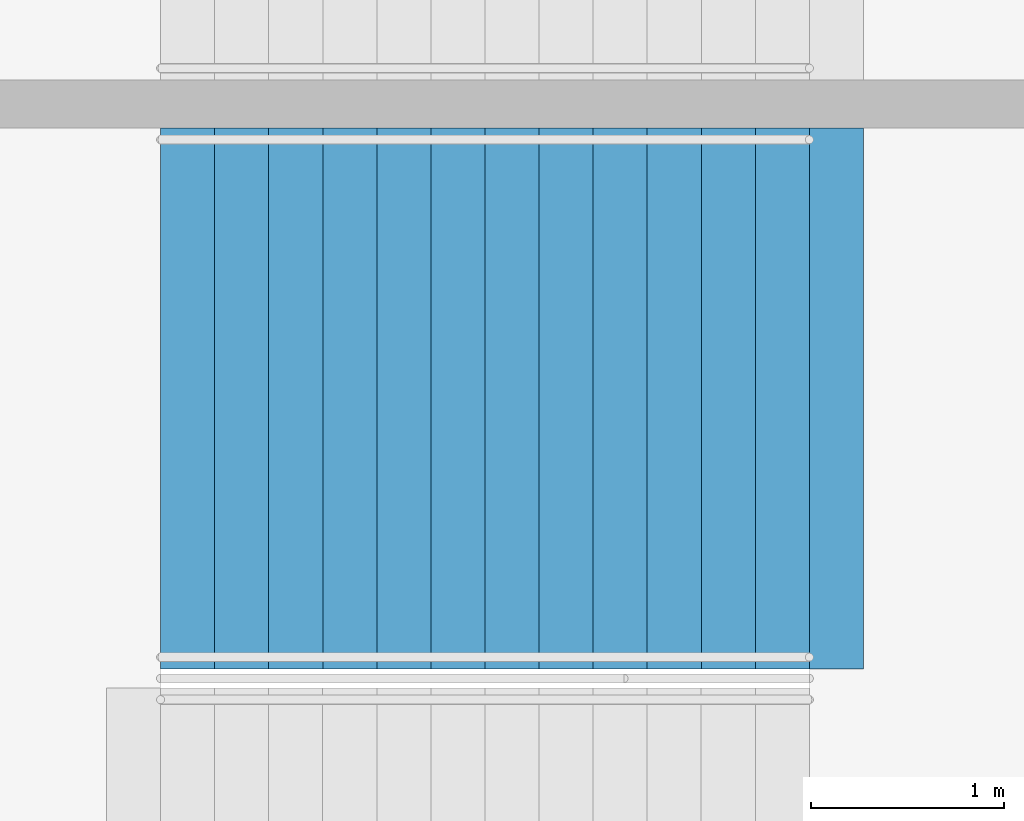
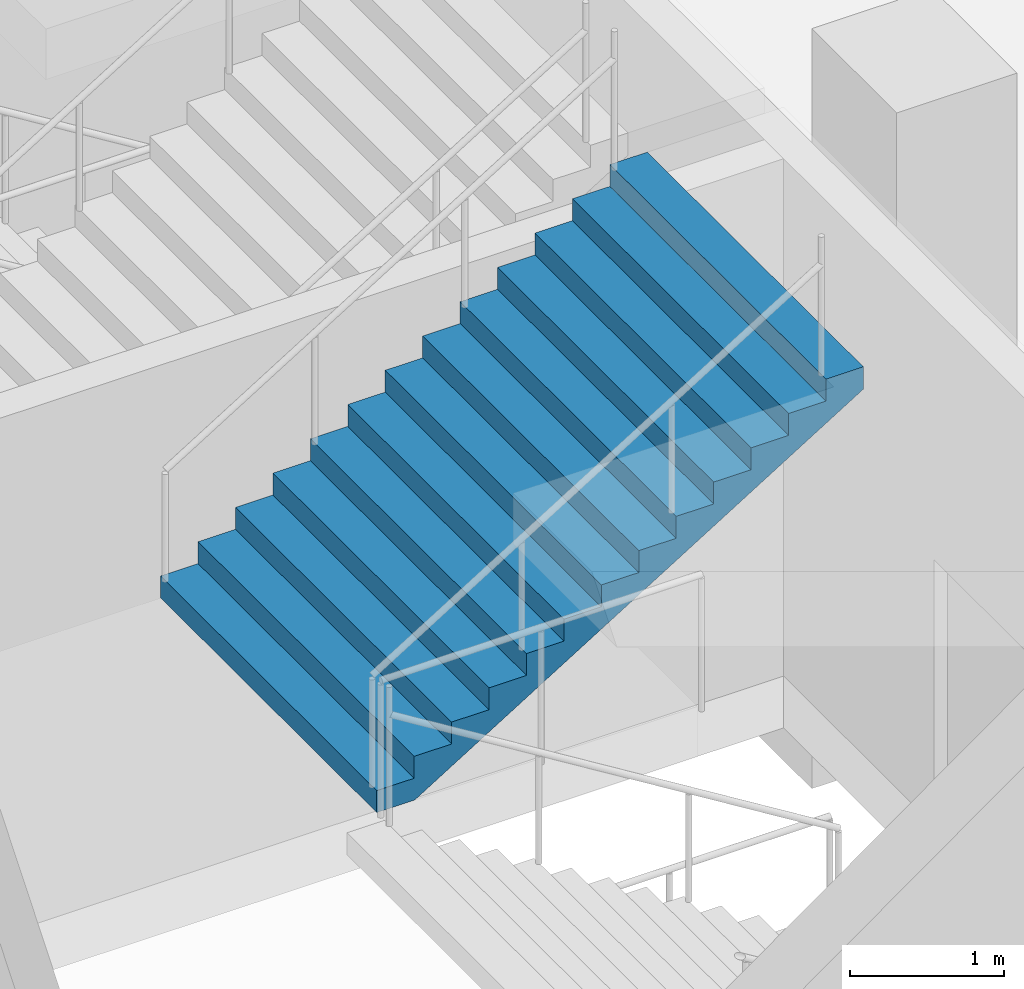
# One storey, part 131 of 199: 1 stair flight, 1 element without a shape of its own.
"""IFC4 building model written with IfcOpenShell, lengths in metres."""

from ifc_helpers import new_model, si_unit, direction, frame, origin, place, context, subcontext, project, spatial, faceted_brep, material, type_object, element, aggregate, save


model = new_model("IFC4")

# Units and contexts
model_context = context("Model", 3, precision=1e-05, world=origin(), true_north=direction((0.0, 1.0)))
body_context = subcontext(model_context, "Body", "Model", "MODEL_VIEW")
ifc_project = project(units=[si_unit("LENGTHUNIT", "METRE"), si_unit("AREAUNIT", "SQUARE_METRE"), si_unit("VOLUMEUNIT", "CUBIC_METRE"), si_unit("PLANEANGLEUNIT", "RADIAN"), si_unit("MASSUNIT", "GRAM", prefix="KILO")], contexts=[model_context])

# Site, building, storey
site_placement = place(None, origin())
site = spatial("IfcSite", under=ifc_project, at=site_placement, CompositionType="ELEMENT")
building_placement = place(site_placement, origin())
building = spatial("IfcBuilding", under=site, at=building_placement, Name="Ogive Plaza Stadium", CompositionType="ELEMENT")
storey_placement = place(building_placement, frame((0.0, 0.0, 4.5)))
storey = spatial("IfcBuildingStorey", under=building, at=storey_placement, Name="L01", CompositionType="ELEMENT", Elevation=4.5)

# Stair, stair flight
ifc_material_1 = material(Name="Concrete C40/50", Category="concrete")
stair_type = type_object("IfcStairType", Name="Exit stair", PredefinedType="STRAIGHT_RUN_STAIR", material=ifc_material_1)
stair_placement = place(storey_placement, origin())
stair = element("IfcStair", 1, at=stair_placement, inside=storey, type_object=stair_type, Name="Exit stair ST24B L01 to L02", PredefinedType="STRAIGHT_RUN_STAIR")
ifc_material_2 = material(Name="Concrete C40/50", Category="concrete")
stair_flight_type = type_object("IfcStairFlightType", Name="Exit stair flight", PredefinedType="STRAIGHT", material=ifc_material_2)
stair_flight_placement = place(storey_placement, frame((-79.7099609375, -9.02490234375, 2.25), z_axis=(0.0, 0.0, 1.0), x_axis=(1.0, 0.0, 0.0)))
stair_flight = element("IfcStairFlight", 2, at=stair_flight_placement, type_object=stair_flight_type, Name="ST24B flight 2", NumberOfRisers=13, NumberOfTreads=12, PredefinedType="STRAIGHT", RiserHeight=0.173076923, TreadLength=0.28, context=body_context, shape_type="Brep", body=[
    faceted_brep([(0.28515625, -1.39990234375, 0.0), (3.639892578125, -1.39990234375, 2.07373046875), (3.639892578125, -1.39990234375, 2.25), (3.360107421875, -1.39990234375, 2.25), (3.360107421875, -1.39990234375, 2.076904296875), (3.080078125, -1.39990234375, 2.076904296875), (3.080078125, -1.39990234375, 1.90380859375), (2.800048828125, -1.39990234375, 1.90380859375), (2.800048828125, -1.39990234375, 1.730712890625), (2.52001953125, -1.39990234375, 1.730712890625), (2.52001953125, -1.39990234375, 1.5576171875), (2.239990234375, -1.39990234375, 1.5576171875), (2.239990234375, -1.39990234375, 1.384521484375), (1.9599609375, -1.39990234375, 1.384521484375), (1.9599609375, -1.39990234375, 1.21142578125), (1.679931640625, -1.39990234375, 1.21142578125), (1.679931640625, -1.39990234375, 1.03857421875), (1.39990234375, -1.39990234375, 1.03857421875), (1.39990234375, -1.39990234375, 0.865478515625), (1.1201171875, -1.39990234375, 0.865478515625), (1.1201171875, -1.39990234375, 0.6923828125), (0.840087890625, -1.39990234375, 0.6923828125), (0.840087890625, -1.39990234375, 0.519287109375), (0.56005859375, -1.39990234375, 0.519287109375), (0.56005859375, -1.39990234375, 0.34619140625), (0.280029296875, -1.39990234375, 0.34619140625), (0.280029296875, -1.39990234375, 0.173095703125), (0.0, -1.39990234375, 0.173095703125), (0.0, -1.39990234375, 0.0), (0.0, 1.39990234375, 0.0), (0.0, 1.39990234375, 0.173095703125), (0.280029296875, 1.39990234375, 0.173095703125), (0.280029296875, 1.39990234375, 0.34619140625), (0.56005859375, 1.39990234375, 0.34619140625), (0.56005859375, 1.39990234375, 0.519287109375), (0.840087890625, 1.39990234375, 0.519287109375), (0.840087890625, 1.39990234375, 0.6923828125), (1.1201171875, 1.39990234375, 0.6923828125), (1.1201171875, 1.39990234375, 0.865478515625), (1.39990234375, 1.39990234375, 0.865478515625), (1.39990234375, 1.39990234375, 1.03857421875), (1.679931640625, 1.39990234375, 1.03857421875), (1.679931640625, 1.39990234375, 1.21142578125), (1.9599609375, 1.39990234375, 1.21142578125), (1.9599609375, 1.39990234375, 1.384521484375), (2.239990234375, 1.39990234375, 1.384521484375), (2.239990234375, 1.39990234375, 1.5576171875), (2.52001953125, 1.39990234375, 1.5576171875), (2.52001953125, 1.39990234375, 1.730712890625), (2.800048828125, 1.39990234375, 1.730712890625), (2.800048828125, 1.39990234375, 1.90380859375), (3.080078125, 1.39990234375, 1.90380859375), (3.080078125, 1.39990234375, 2.076904296875), (3.360107421875, 1.39990234375, 2.076904296875), (3.360107421875, 1.39990234375, 2.25), (3.639892578125, 1.39990234375, 2.25), (3.639892578125, 1.39990234375, 2.07373046875), (0.28515625, 1.39990234375, 0.0), (0.28515625, -1.0888671875, 0.0), (3.639892578125, -1.0888671875, 2.07373046875), (0.28515625, -0.77783203125, 0.0), (3.639892578125, -0.77783203125, 2.07373046875), (0.28515625, -0.466796875, 0.0), (3.639892578125, -0.466796875, 2.07373046875), (0.28515625, -0.155517578125, 0.0), (3.639892578125, -0.155517578125, 2.07373046875), (0.28515625, 0.155517578125, 0.0), (3.639892578125, 0.155517578125, 2.07373046875), (0.28515625, 0.466796875, 0.0), (3.639892578125, 0.466796875, 2.07373046875), (0.28515625, 0.77783203125, 0.0), (3.639892578125, 0.77783203125, 2.07373046875), (0.28515625, 1.0888671875, 0.0), (3.639892578125, 1.0888671875, 2.07373046875), (3.639892578125, -1.0888671875, 2.25), (3.639892578125, -0.77783203125, 2.25), (3.639892578125, -0.466796875, 2.25), (3.639892578125, -0.155517578125, 2.25), (3.639892578125, 0.155517578125, 2.25), (3.639892578125, 0.466796875, 2.25), (3.639892578125, 0.77783203125, 2.25), (3.639892578125, 1.0888671875, 2.25), (3.360107421875, -1.0888671875, 2.25), (3.360107421875, -0.77783203125, 2.25), (3.360107421875, -0.466796875, 2.25), (3.360107421875, -0.155517578125, 2.25), (3.360107421875, 0.155517578125, 2.25), (3.360107421875, 0.466796875, 2.25), (3.360107421875, 0.77783203125, 2.25), (3.360107421875, 1.0888671875, 2.25), (3.360107421875, -1.0888671875, 2.076904296875), (3.360107421875, -0.77783203125, 2.076904296875), (3.360107421875, -0.466796875, 2.076904296875), (3.360107421875, -0.155517578125, 2.076904296875), (3.360107421875, 0.155517578125, 2.076904296875), (3.360107421875, 0.466796875, 2.076904296875), (3.360107421875, 0.77783203125, 2.076904296875), (3.360107421875, 1.0888671875, 2.076904296875), (3.080078125, -1.0888671875, 2.076904296875), (3.080078125, -0.77783203125, 2.076904296875), (3.080078125, -0.466796875, 2.076904296875), (3.080078125, -0.155517578125, 2.076904296875), (3.080078125, 0.155517578125, 2.076904296875), (3.080078125, 0.466796875, 2.076904296875), (3.080078125, 0.77783203125, 2.076904296875), (3.080078125, 1.0888671875, 2.076904296875), (3.080078125, -1.0888671875, 1.90380859375), (3.080078125, -0.77783203125, 1.90380859375), (3.080078125, -0.466796875, 1.90380859375), (3.080078125, -0.155517578125, 1.90380859375), (3.080078125, 0.155517578125, 1.90380859375), (3.080078125, 0.466796875, 1.90380859375), (3.080078125, 0.77783203125, 1.90380859375), (3.080078125, 1.0888671875, 1.90380859375), (2.800048828125, -1.0888671875, 1.90380859375), (2.800048828125, -0.77783203125, 1.90380859375), (2.800048828125, -0.466796875, 1.90380859375), (2.800048828125, -0.155517578125, 1.90380859375), (2.800048828125, 0.155517578125, 1.90380859375), (2.800048828125, 0.466796875, 1.90380859375), (2.800048828125, 0.77783203125, 1.90380859375), (2.800048828125, 1.0888671875, 1.90380859375), (2.800048828125, -1.0888671875, 1.730712890625), (2.800048828125, -0.77783203125, 1.730712890625), (2.800048828125, -0.466796875, 1.730712890625), (2.800048828125, -0.155517578125, 1.730712890625), (2.800048828125, 0.155517578125, 1.730712890625), (2.800048828125, 0.466796875, 1.730712890625), (2.800048828125, 0.77783203125, 1.730712890625), (2.800048828125, 1.0888671875, 1.730712890625), (2.52001953125, -1.0888671875, 1.730712890625), (2.52001953125, -0.77783203125, 1.730712890625), (2.52001953125, -0.466796875, 1.730712890625), (2.52001953125, -0.155517578125, 1.730712890625), (2.52001953125, 0.155517578125, 1.730712890625), (2.52001953125, 0.466796875, 1.730712890625), (2.52001953125, 0.77783203125, 1.730712890625), (2.52001953125, 1.0888671875, 1.730712890625), (2.52001953125, -1.0888671875, 1.5576171875), (2.52001953125, -0.77783203125, 1.5576171875), (2.52001953125, -0.466796875, 1.5576171875), (2.52001953125, -0.155517578125, 1.5576171875), (2.52001953125, 0.155517578125, 1.5576171875), (2.52001953125, 0.466796875, 1.5576171875), (2.52001953125, 0.77783203125, 1.5576171875), (2.52001953125, 1.0888671875, 1.5576171875), (2.239990234375, -1.0888671875, 1.5576171875), (2.239990234375, -0.77783203125, 1.5576171875), (2.239990234375, -0.466796875, 1.5576171875), (2.239990234375, -0.155517578125, 1.5576171875), (2.239990234375, 0.155517578125, 1.5576171875), (2.239990234375, 0.466796875, 1.5576171875), (2.239990234375, 0.77783203125, 1.5576171875), (2.239990234375, 1.0888671875, 1.5576171875), (2.239990234375, -1.0888671875, 1.384521484375), (2.239990234375, -0.77783203125, 1.384521484375), (2.239990234375, -0.466796875, 1.384521484375), (2.239990234375, -0.155517578125, 1.384521484375), (2.239990234375, 0.155517578125, 1.384521484375), (2.239990234375, 0.466796875, 1.384521484375), (2.239990234375, 0.77783203125, 1.384521484375), (2.239990234375, 1.0888671875, 1.384521484375), (1.9599609375, -1.0888671875, 1.384521484375), (1.9599609375, -0.77783203125, 1.384521484375), (1.9599609375, -0.466796875, 1.384521484375), (1.9599609375, -0.155517578125, 1.384521484375), (1.9599609375, 0.155517578125, 1.384521484375), (1.9599609375, 0.466796875, 1.384521484375), (1.9599609375, 0.77783203125, 1.384521484375), (1.9599609375, 1.0888671875, 1.384521484375), (1.9599609375, -1.0888671875, 1.21142578125), (1.9599609375, -0.77783203125, 1.21142578125), (1.9599609375, -0.466796875, 1.21142578125), (1.9599609375, -0.155517578125, 1.21142578125), (1.9599609375, 0.155517578125, 1.21142578125), (1.9599609375, 0.466796875, 1.21142578125), (1.9599609375, 0.77783203125, 1.21142578125), (1.9599609375, 1.0888671875, 1.21142578125), (1.679931640625, -1.0888671875, 1.21142578125), (1.679931640625, -0.77783203125, 1.21142578125), (1.679931640625, -0.466796875, 1.21142578125), (1.679931640625, -0.155517578125, 1.21142578125), (1.679931640625, 0.155517578125, 1.21142578125), (1.679931640625, 0.466796875, 1.21142578125), (1.679931640625, 0.77783203125, 1.21142578125), (1.679931640625, 1.0888671875, 1.21142578125), (1.679931640625, -1.0888671875, 1.03857421875), (1.679931640625, -0.77783203125, 1.03857421875), (1.679931640625, -0.466796875, 1.03857421875), (1.679931640625, -0.155517578125, 1.03857421875), (1.679931640625, 0.155517578125, 1.03857421875), (1.679931640625, 0.466796875, 1.03857421875), (1.679931640625, 0.77783203125, 1.03857421875), (1.679931640625, 1.0888671875, 1.03857421875), (1.39990234375, -1.0888671875, 1.03857421875), (1.39990234375, -0.77783203125, 1.03857421875), (1.39990234375, -0.466796875, 1.03857421875), (1.39990234375, -0.155517578125, 1.03857421875), (1.39990234375, 0.155517578125, 1.03857421875), (1.39990234375, 0.466796875, 1.03857421875), (1.39990234375, 0.77783203125, 1.03857421875), (1.39990234375, 1.0888671875, 1.03857421875), (1.39990234375, -1.0888671875, 0.865478515625), (1.39990234375, -0.77783203125, 0.865478515625), (1.39990234375, -0.466796875, 0.865478515625), (1.39990234375, -0.155517578125, 0.865478515625), (1.39990234375, 0.155517578125, 0.865478515625), (1.39990234375, 0.466796875, 0.865478515625), (1.39990234375, 0.77783203125, 0.865478515625), (1.39990234375, 1.0888671875, 0.865478515625), (1.1201171875, -1.0888671875, 0.865478515625), (1.1201171875, -0.77783203125, 0.865478515625), (1.1201171875, -0.466796875, 0.865478515625), (1.1201171875, -0.155517578125, 0.865478515625), (1.1201171875, 0.155517578125, 0.865478515625), (1.1201171875, 0.466796875, 0.865478515625), (1.1201171875, 0.77783203125, 0.865478515625), (1.1201171875, 1.0888671875, 0.865478515625), (1.1201171875, -1.0888671875, 0.6923828125), (1.1201171875, -0.77783203125, 0.6923828125), (1.1201171875, -0.466796875, 0.6923828125), (1.1201171875, -0.155517578125, 0.6923828125), (1.1201171875, 0.155517578125, 0.6923828125), (1.1201171875, 0.466796875, 0.6923828125), (1.1201171875, 0.77783203125, 0.6923828125), (1.1201171875, 1.0888671875, 0.6923828125), (0.840087890625, -1.0888671875, 0.6923828125), (0.840087890625, -0.77783203125, 0.6923828125), (0.840087890625, -0.466796875, 0.6923828125), (0.840087890625, -0.155517578125, 0.6923828125), (0.840087890625, 0.155517578125, 0.6923828125), (0.840087890625, 0.466796875, 0.6923828125), (0.840087890625, 0.77783203125, 0.6923828125), (0.840087890625, 1.0888671875, 0.6923828125), (0.840087890625, -1.0888671875, 0.519287109375), (0.840087890625, -0.77783203125, 0.519287109375), (0.840087890625, -0.466796875, 0.519287109375), (0.840087890625, -0.155517578125, 0.519287109375), (0.840087890625, 0.155517578125, 0.519287109375), (0.840087890625, 0.466796875, 0.519287109375), (0.840087890625, 0.77783203125, 0.519287109375), (0.840087890625, 1.0888671875, 0.519287109375), (0.56005859375, -1.0888671875, 0.519287109375), (0.56005859375, -0.77783203125, 0.519287109375), (0.56005859375, -0.466796875, 0.519287109375), (0.56005859375, -0.155517578125, 0.519287109375), (0.56005859375, 0.155517578125, 0.519287109375), (0.56005859375, 0.466796875, 0.519287109375), (0.56005859375, 0.77783203125, 0.519287109375), (0.56005859375, 1.0888671875, 0.519287109375), (0.56005859375, -1.0888671875, 0.34619140625), (0.56005859375, -0.77783203125, 0.34619140625), (0.56005859375, -0.466796875, 0.34619140625), (0.56005859375, -0.155517578125, 0.34619140625), (0.56005859375, 0.155517578125, 0.34619140625), (0.56005859375, 0.466796875, 0.34619140625), (0.56005859375, 0.77783203125, 0.34619140625), (0.56005859375, 1.0888671875, 0.34619140625), (0.280029296875, -1.0888671875, 0.34619140625), (0.280029296875, -0.77783203125, 0.34619140625), (0.280029296875, -0.466796875, 0.34619140625), (0.280029296875, -0.155517578125, 0.34619140625), (0.280029296875, 0.155517578125, 0.34619140625), (0.280029296875, 0.466796875, 0.34619140625), (0.280029296875, 0.77783203125, 0.34619140625), (0.280029296875, 1.0888671875, 0.34619140625), (0.280029296875, -1.0888671875, 0.173095703125), (0.280029296875, -0.77783203125, 0.173095703125), (0.280029296875, -0.466796875, 0.173095703125), (0.280029296875, -0.155517578125, 0.173095703125), (0.280029296875, 0.155517578125, 0.173095703125), (0.280029296875, 0.466796875, 0.173095703125), (0.280029296875, 0.77783203125, 0.173095703125), (0.280029296875, 1.0888671875, 0.173095703125), (0.0, -1.0888671875, 0.173095703125), (0.0, -0.77783203125, 0.173095703125), (0.0, -0.466796875, 0.173095703125), (0.0, -0.155517578125, 0.173095703125), (0.0, 0.155517578125, 0.173095703125), (0.0, 0.466796875, 0.173095703125), (0.0, 0.77783203125, 0.173095703125), (0.0, 1.0888671875, 0.173095703125), (0.0, -1.0888671875, 0.0), (0.0, -0.77783203125, 0.0), (0.0, -0.466796875, 0.0), (0.0, -0.155517578125, 0.0), (0.0, 0.155517578125, 0.0), (0.0, 0.466796875, 0.0), (0.0, 0.77783203125, 0.0), (0.0, 1.0888671875, 0.0)], [[[0, 1, 2, 3, 4, 5, 6, 7, 8, 9, 10, 11, 12, 13, 14, 15, 16, 17, 18, 19, 20, 21, 22, 23, 24, 25, 26, 27, 28]], [[29, 30, 31, 32, 33, 34, 35, 36, 37, 38, 39, 40, 41, 42, 43, 44, 45, 46, 47, 48, 49, 50, 51, 52, 53, 54, 55, 56, 57]], [[0, 58, 59, 1]], [[58, 60, 61, 59]], [[60, 62, 63, 61]], [[62, 64, 65, 63]], [[64, 66, 67, 65]], [[66, 68, 69, 67]], [[68, 70, 71, 69]], [[70, 72, 73, 71]], [[72, 57, 56, 73]], [[1, 59, 74, 2]], [[59, 61, 75, 74]], [[61, 63, 76, 75]], [[63, 65, 77, 76]], [[65, 67, 78, 77]], [[67, 69, 79, 78]], [[69, 71, 80, 79]], [[71, 73, 81, 80]], [[73, 56, 55, 81]], [[2, 74, 82, 3]], [[74, 75, 83, 82]], [[75, 76, 84, 83]], [[76, 77, 85, 84]], [[77, 78, 86, 85]], [[78, 79, 87, 86]], [[79, 80, 88, 87]], [[80, 81, 89, 88]], [[81, 55, 54, 89]], [[3, 82, 90, 4]], [[82, 83, 91, 90]], [[83, 84, 92, 91]], [[84, 85, 93, 92]], [[85, 86, 94, 93]], [[86, 87, 95, 94]], [[87, 88, 96, 95]], [[88, 89, 97, 96]], [[89, 54, 53, 97]], [[4, 90, 98, 5]], [[90, 91, 99, 98]], [[91, 92, 100, 99]], [[92, 93, 101, 100]], [[93, 94, 102, 101]], [[94, 95, 103, 102]], [[95, 96, 104, 103]], [[96, 97, 105, 104]], [[97, 53, 52, 105]], [[5, 98, 106, 6]], [[98, 99, 107, 106]], [[99, 100, 108, 107]], [[100, 101, 109, 108]], [[101, 102, 110, 109]], [[102, 103, 111, 110]], [[103, 104, 112, 111]], [[104, 105, 113, 112]], [[105, 52, 51, 113]], [[6, 106, 114, 7]], [[106, 107, 115, 114]], [[107, 108, 116, 115]], [[108, 109, 117, 116]], [[109, 110, 118, 117]], [[110, 111, 119, 118]], [[111, 112, 120, 119]], [[112, 113, 121, 120]], [[113, 51, 50, 121]], [[7, 114, 122, 8]], [[114, 115, 123, 122]], [[115, 116, 124, 123]], [[116, 117, 125, 124]], [[117, 118, 126, 125]], [[118, 119, 127, 126]], [[119, 120, 128, 127]], [[120, 121, 129, 128]], [[121, 50, 49, 129]], [[8, 122, 130, 9]], [[122, 123, 131, 130]], [[123, 124, 132, 131]], [[124, 125, 133, 132]], [[125, 126, 134, 133]], [[126, 127, 135, 134]], [[127, 128, 136, 135]], [[128, 129, 137, 136]], [[129, 49, 48, 137]], [[9, 130, 138, 10]], [[130, 131, 139, 138]], [[131, 132, 140, 139]], [[132, 133, 141, 140]], [[133, 134, 142, 141]], [[134, 135, 143, 142]], [[135, 136, 144, 143]], [[136, 137, 145, 144]], [[137, 48, 47, 145]], [[10, 138, 146, 11]], [[138, 139, 147, 146]], [[139, 140, 148, 147]], [[140, 141, 149, 148]], [[141, 142, 150, 149]], [[142, 143, 151, 150]], [[143, 144, 152, 151]], [[144, 145, 153, 152]], [[145, 47, 46, 153]], [[11, 146, 154, 12]], [[146, 147, 155, 154]], [[147, 148, 156, 155]], [[148, 149, 157, 156]], [[149, 150, 158, 157]], [[150, 151, 159, 158]], [[151, 152, 160, 159]], [[152, 153, 161, 160]], [[153, 46, 45, 161]], [[12, 154, 162, 13]], [[154, 155, 163, 162]], [[155, 156, 164, 163]], [[156, 157, 165, 164]], [[157, 158, 166, 165]], [[158, 159, 167, 166]], [[159, 160, 168, 167]], [[160, 161, 169, 168]], [[161, 45, 44, 169]], [[13, 162, 170, 14]], [[162, 163, 171, 170]], [[163, 164, 172, 171]], [[164, 165, 173, 172]], [[165, 166, 174, 173]], [[166, 167, 175, 174]], [[167, 168, 176, 175]], [[168, 169, 177, 176]], [[169, 44, 43, 177]], [[14, 170, 178, 15]], [[170, 171, 179, 178]], [[171, 172, 180, 179]], [[172, 173, 181, 180]], [[173, 174, 182, 181]], [[174, 175, 183, 182]], [[175, 176, 184, 183]], [[176, 177, 185, 184]], [[177, 43, 42, 185]], [[15, 178, 186, 16]], [[178, 179, 187, 186]], [[179, 180, 188, 187]], [[180, 181, 189, 188]], [[181, 182, 190, 189]], [[182, 183, 191, 190]], [[183, 184, 192, 191]], [[184, 185, 193, 192]], [[185, 42, 41, 193]], [[16, 186, 194, 17]], [[186, 187, 195, 194]], [[187, 188, 196, 195]], [[188, 189, 197, 196]], [[189, 190, 198, 197]], [[190, 191, 199, 198]], [[191, 192, 200, 199]], [[192, 193, 201, 200]], [[193, 41, 40, 201]], [[17, 194, 202, 18]], [[194, 195, 203, 202]], [[195, 196, 204, 203]], [[196, 197, 205, 204]], [[197, 198, 206, 205]], [[198, 199, 207, 206]], [[199, 200, 208, 207]], [[200, 201, 209, 208]], [[201, 40, 39, 209]], [[18, 202, 210, 19]], [[202, 203, 211, 210]], [[203, 204, 212, 211]], [[204, 205, 213, 212]], [[205, 206, 214, 213]], [[206, 207, 215, 214]], [[207, 208, 216, 215]], [[208, 209, 217, 216]], [[209, 39, 38, 217]], [[19, 210, 218, 20]], [[210, 211, 219, 218]], [[211, 212, 220, 219]], [[212, 213, 221, 220]], [[213, 214, 222, 221]], [[214, 215, 223, 222]], [[215, 216, 224, 223]], [[216, 217, 225, 224]], [[217, 38, 37, 225]], [[20, 218, 226, 21]], [[218, 219, 227, 226]], [[219, 220, 228, 227]], [[220, 221, 229, 228]], [[221, 222, 230, 229]], [[222, 223, 231, 230]], [[223, 224, 232, 231]], [[224, 225, 233, 232]], [[225, 37, 36, 233]], [[21, 226, 234, 22]], [[226, 227, 235, 234]], [[227, 228, 236, 235]], [[228, 229, 237, 236]], [[229, 230, 238, 237]], [[230, 231, 239, 238]], [[231, 232, 240, 239]], [[232, 233, 241, 240]], [[233, 36, 35, 241]], [[22, 234, 242, 23]], [[234, 235, 243, 242]], [[235, 236, 244, 243]], [[236, 237, 245, 244]], [[237, 238, 246, 245]], [[238, 239, 247, 246]], [[239, 240, 248, 247]], [[240, 241, 249, 248]], [[241, 35, 34, 249]], [[23, 242, 250, 24]], [[242, 243, 251, 250]], [[243, 244, 252, 251]], [[244, 245, 253, 252]], [[245, 246, 254, 253]], [[246, 247, 255, 254]], [[247, 248, 256, 255]], [[248, 249, 257, 256]], [[249, 34, 33, 257]], [[24, 250, 258, 25]], [[250, 251, 259, 258]], [[251, 252, 260, 259]], [[252, 253, 261, 260]], [[253, 254, 262, 261]], [[254, 255, 263, 262]], [[255, 256, 264, 263]], [[256, 257, 265, 264]], [[257, 33, 32, 265]], [[25, 258, 266, 26]], [[258, 259, 267, 266]], [[259, 260, 268, 267]], [[260, 261, 269, 268]], [[261, 262, 270, 269]], [[262, 263, 271, 270]], [[263, 264, 272, 271]], [[264, 265, 273, 272]], [[265, 32, 31, 273]], [[26, 266, 274, 27]], [[266, 267, 275, 274]], [[267, 268, 276, 275]], [[268, 269, 277, 276]], [[269, 270, 278, 277]], [[270, 271, 279, 278]], [[271, 272, 280, 279]], [[272, 273, 281, 280]], [[273, 31, 30, 281]], [[27, 274, 282, 28]], [[274, 275, 283, 282]], [[275, 276, 284, 283]], [[276, 277, 285, 284]], [[277, 278, 286, 285]], [[278, 279, 287, 286]], [[279, 280, 288, 287]], [[280, 281, 289, 288]], [[281, 30, 29, 289]], [[28, 282, 58, 0]], [[282, 283, 60, 58]], [[283, 284, 62, 60]], [[284, 285, 64, 62]], [[285, 286, 66, 64]], [[286, 287, 68, 66]], [[287, 288, 70, 68]], [[288, 289, 72, 70]], [[289, 29, 57, 72]]]),
])
aggregate(stair, [stair_flight])

save(model, "model.ifc")
